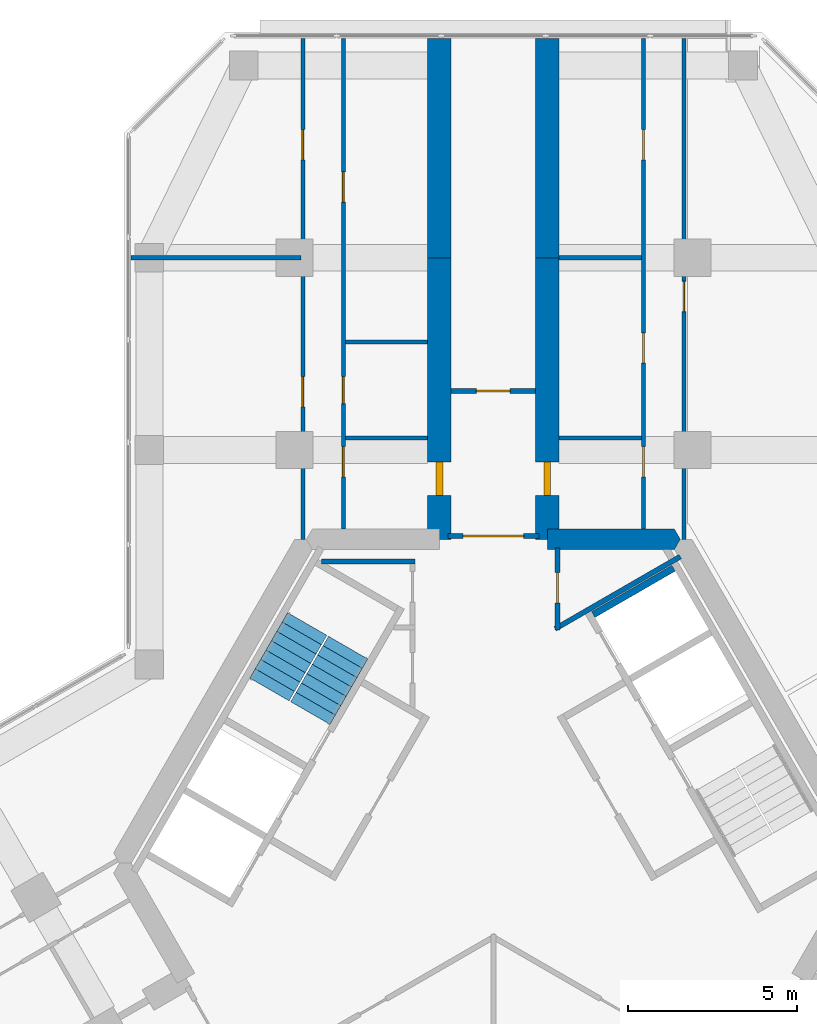
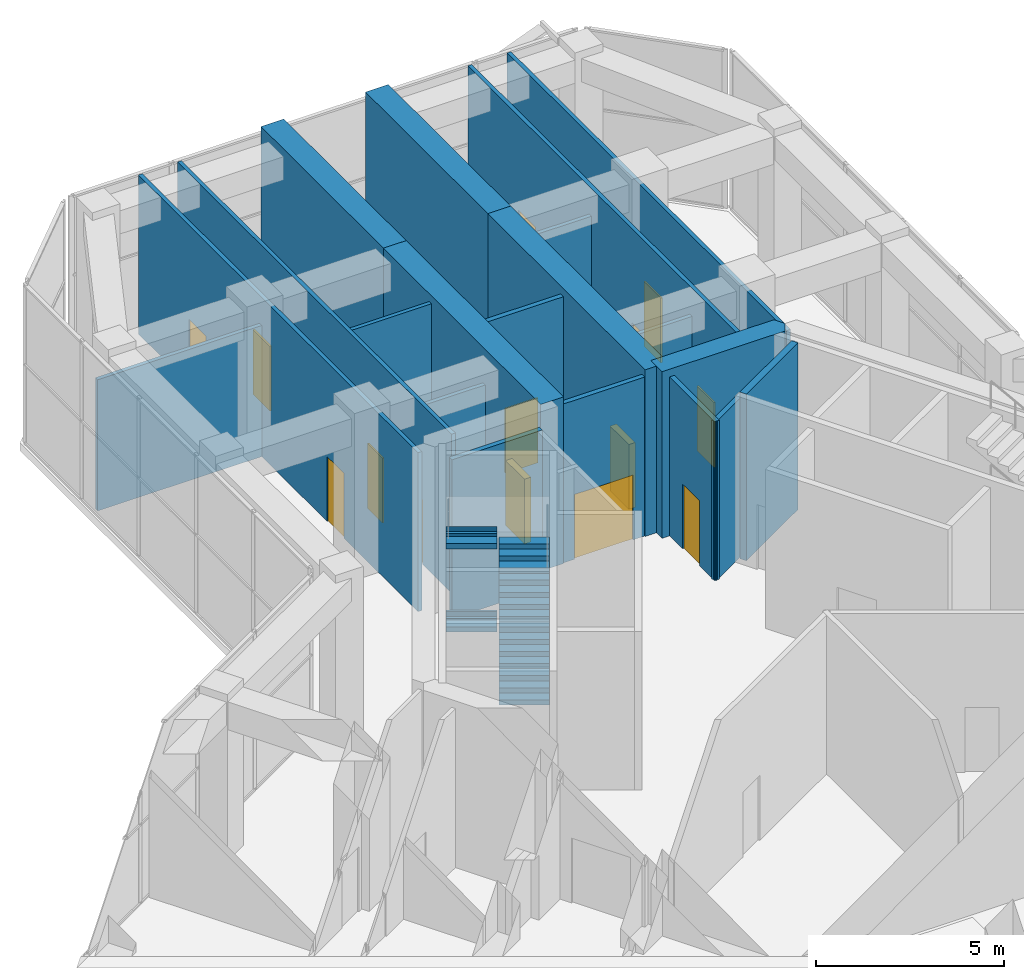
# One storey, part 14 of 16: 20 walls, 14 doors, 4 stair flights, 14 openings, 1 element without a shape of its own.
"""IFC4 building model written with IfcOpenShell, lengths in metres."""

from ifc_helpers import new_model, si_unit, direction, frame, frame_2d, origin, place, context, subcontext, project, spatial, polyline, rectangle, outline, extrude, material, layer, layer_set, type_object, element, fill, aggregate, save


model = new_model("IFC4")

# Units and contexts
model_context = context("Model", 3, precision=1e-05, world=origin(), true_north=direction((0.0, 1.0)))
body_context = subcontext(model_context, "Body", "Model", "MODEL_VIEW")
ifc_project = project(units=[si_unit("LENGTHUNIT", "METRE"), si_unit("AREAUNIT", "SQUARE_METRE"), si_unit("VOLUMEUNIT", "CUBIC_METRE"), si_unit("PLANEANGLEUNIT", "RADIAN"), si_unit("MASSUNIT", "GRAM", prefix="KILO")], contexts=[model_context])

# Site, building, storey
site_placement = place(None, origin())
site = spatial("IfcSite", under=ifc_project, at=site_placement, CompositionType="ELEMENT")
building_placement = place(site_placement, origin())
building = spatial("IfcBuilding", under=site, at=building_placement, Name="Kosmar Iwan School Tower", CompositionType="ELEMENT")
storey_placement = place(building_placement, frame((0.0, 0.0, 226.199951171875)))
storey = spatial("IfcBuildingStorey", under=building, at=storey_placement, Name="L57", CompositionType="ELEMENT", Elevation=226.199951171875)

# Walls
ifc_material_1 = material(Name="Gypsum board on steel studs, fire-rated", Category="steel")
ifc_layer_1 = layer(ifc_material_1, 0.14990234375)
ifc_layer_set_1 = layer_set([ifc_layer_1], Name="Core room partition 150")
wall_type_1 = type_object("IfcWallType", Name="Core room partition 150", PredefinedType="PARTITIONING", material=ifc_layer_set_1)
wall_1_placement = place(storey_placement, frame((-5.089599609375, 8.93994140625, 0.0), z_axis=(0.0, 0.0, 1.0), x_axis=(1.0, 0.0, 0.0)))
element("IfcWall", 1, at=wall_1_placement, inside=storey, type_object=wall_type_1, Name="Core room partition L57-CW3", PredefinedType="PARTITIONING", context=body_context, shape_type="SweptSolid", body=[
    extrude(rectangle(XDim=2.7646484375, YDim=0.14990234375, at=frame_2d((1.38232421875, 0.0))), origin(), (0.0, 0.0, 1.0), 5.150146484375),
])
wall_2_placement = place(storey_placement, frame((5.54296875, 9.089111328125, 0.0), z_axis=(0.0, 0.0, 1.0), x_axis=(-0.866045054481, -0.49996596245, 0.0)))
element("IfcWall", 2, at=wall_2_placement, inside=storey, type_object=wall_type_1, Name="Core room partition L57-CW8", PredefinedType="PARTITIONING", context=body_context, shape_type="SweptSolid", body=[
    extrude(rectangle(XDim=4.281494140625, YDim=0.14990234375, at=frame_2d((2.140625, 0.0))), origin(), (0.0, 0.0, 1.0), 5.150146484375),
])

# Wall, opening, door
wall_3_placement = place(storey_placement, frame((1.89990234375, 6.910888671875, 0.0), z_axis=(0.0, 0.0, 1.0), x_axis=(0.0, 1.0, 0.0)))
wall_3 = element("IfcWall", 3, at=wall_3_placement, inside=storey, type_object=wall_type_1, Name="Core room partition L57-CW9", PredefinedType="PARTITIONING", context=body_context, shape_type="SweptSolid", body=[
    extrude(rectangle(XDim=2.43408203125, YDim=0.14990234375, at=frame_2d((1.217041015625, 0.0))), origin(), (0.0, 0.0, 1.0), 5.150146484375),
])
opening_1_placement = place(wall_3_placement, frame((0.802001953125, 0.0, 0.0)))
opening_1 = element("IfcOpeningElement", 4, at=opening_1_placement, cuts=wall_3, Name="Opening D14", PredefinedType="OPENING", context=body_context, shape_type="SweptSolid", body=[
    extrude(rectangle(XDim=0.89990234375, YDim=2.10009765625, at=frame_2d((0.449951171875, 1.050048828125))), frame((0.0, 0.0869140625, 0.0), z_axis=(0.0, -1.0, 0.0), x_axis=(1.0, 0.0, 0.0)), (0.0, 0.0, 1.0), 0.173828125),
])
ifc_material_2 = material(Name="Timber fire door in steel frame", Category="steel")
door_type_1 = type_object("IfcDoorType", Name="Core room door 900x2100", OperationType="SINGLE_SWING_LEFT", PredefinedType="DOOR", material=ifc_material_2)
door_1_placement = place(opening_1_placement, origin())
door_1 = element("IfcDoor", 5, at=door_1_placement, inside=storey, type_object=door_type_1, Name="Water meter room door L57 5", OperationType="SINGLE_SWING_RIGHT", OverallHeight=2.10009765625, OverallWidth=0.89990234375, PredefinedType="DOOR", context=body_context, shape_type="SweptSolid", body=[
    extrude(rectangle(XDim=0.89990234375, YDim=2.10009765625, at=frame_2d((0.449951171875, 1.050048828125))), frame((0.0, 0.02490234375, 0.0), z_axis=(0.0, -1.0, 0.0), x_axis=(1.0, 0.0, 0.0)), (0.0, 0.0, 1.0), 0.050048828125),
])
fill(opening_1, door_1)

# Wall
ifc_material_3 = material(Name="Concrete C50/60", Category="concrete")
ifc_layer_2 = layer(ifc_material_3, 0.60009765625)
ifc_layer_set_2 = layer_set([ifc_layer_2], Name="Core wall 600")
wall_type_2 = type_object("IfcWallType", Name="Core wall 600", PredefinedType="SHEAR", material=ifc_layer_set_2)
wall_4_placement = place(storey_placement, origin())
element("IfcWall", 6, at=wall_4_placement, inside=storey, type_object=wall_type_2, Name="Core wall F090a", PredefinedType="SHEAR", context=body_context, shape_type="SweptSolid", body=[
    extrude(outline(polyline([(1.60009765625, 9.300048828125), (5.369384765625, 9.300048828125), (5.54248046875, 9.60009765625), (5.369384765625, 9.89990234375), (1.60009765625, 9.89990234375), (1.60009765625, 9.300048828125)])), origin(), (0.0, 0.0, 1.0), 5.400146484375),
])

# Wall, opening, door
ifc_material_4 = material(Name="Concrete C50/60", Category="concrete")
ifc_layer_3 = layer(ifc_material_4, 0.699951171875)
ifc_layer_set_3 = layer_set([ifc_layer_3], Name="Corridor buttress wall 700")
wall_type_3 = type_object("IfcWallType", Name="Corridor buttress wall 700", PredefinedType="SHEAR", material=ifc_layer_set_3)
wall_5_placement = place(storey_placement, frame((-1.60009765625, 9.60009765625, 0.0), z_axis=(0.0, 0.0, 1.0), x_axis=(0.0, 1.0, 0.0)))
wall_5 = element("IfcWall", 7, at=wall_5_placement, inside=storey, type_object=wall_type_3, Name="Corridor wall AL", PredefinedType="SHEAR", context=body_context, shape_type="SweptSolid", body=[
    extrude(rectangle(XDim=8.349853515625, YDim=0.699951171875, at=frame_2d((4.1748046875, 0.0))), origin(), (0.0, 0.0, 1.0), 5.400146484375),
])
opening_2_placement = place(wall_5_placement, frame((1.300048828125, 0.0, 0.0)))
opening_2 = element("IfcOpeningElement", 8, at=opening_2_placement, cuts=wall_5, Name="Opening D1", PredefinedType="OPENING", context=body_context, shape_type="SweptSolid", body=[
    extrude(rectangle(XDim=1.0, YDim=2.10009765625, at=frame_2d((0.5, 1.050048828125))), frame((0.0, 0.362060546875, 0.0), z_axis=(0.0, -1.0, 0.0), x_axis=(1.0, 0.0, 0.0)), (0.0, 0.0, 1.0), 0.723876953125),
])
ifc_material_5 = material(Name="Timber fire door in steel frame", Category="steel")
door_type_2 = type_object("IfcDoorType", Name="Flat entrance door 1000x2100", OperationType="SINGLE_SWING_LEFT", PredefinedType="DOOR", material=ifc_material_5)
door_2_placement = place(opening_2_placement, origin())
door_2 = element("IfcDoor", 9, at=door_2_placement, inside=storey, type_object=door_type_2, Name="Flat L57-AL1 entrance door", OperationType="SINGLE_SWING_RIGHT", OverallHeight=2.10009765625, OverallWidth=1.0, PredefinedType="DOOR", context=body_context, shape_type="SweptSolid", body=[
    extrude(rectangle(XDim=1.0, YDim=2.10009765625, at=frame_2d((0.5, 1.050048828125))), frame((0.0, 0.10009765625, 0.0), z_axis=(0.0, -1.0, 0.0), x_axis=(1.0, 0.0, 0.0)), (0.0, 0.0, 1.0), 0.199951171875),
])
fill(opening_2, door_2)

# Wall
wall_6_placement = place(storey_placement, frame((-1.60009765625, 17.949951171875, 0.0), z_axis=(0.0, 0.0, 1.0), x_axis=(0.0, 1.0, 0.0)))
element("IfcWall", 10, at=wall_6_placement, inside=storey, type_object=wall_type_3, Name="Corridor wall AL bay 2", PredefinedType="SHEAR", context=body_context, shape_type="SweptSolid", body=[
    extrude(rectangle(XDim=6.4951171875, YDim=0.699951171875, at=frame_2d((3.24755859375, 0.0))), origin(), (0.0, 0.0, 1.0), 5.400146484375),
])

# Wall, opening, door
wall_7_placement = place(storey_placement, frame((1.60009765625, 9.60009765625, 0.0), z_axis=(0.0, 0.0, 1.0), x_axis=(0.0, 1.0, 0.0)))
wall_7 = element("IfcWall", 11, at=wall_7_placement, inside=storey, type_object=wall_type_3, Name="Corridor wall AR", PredefinedType="SHEAR", context=body_context, shape_type="SweptSolid", body=[
    extrude(rectangle(XDim=8.349853515625, YDim=0.699951171875, at=frame_2d((4.1748046875, 0.0))), origin(), (0.0, 0.0, 1.0), 5.400146484375),
])
opening_3_placement = place(wall_7_placement, frame((1.300048828125, 0.0, 0.0)))
opening_3 = element("IfcOpeningElement", 12, at=opening_3_placement, cuts=wall_7, Name="Opening D1", PredefinedType="OPENING", context=body_context, shape_type="SweptSolid", body=[
    extrude(rectangle(XDim=1.0, YDim=2.10009765625, at=frame_2d((0.5, 1.050048828125))), frame((0.0, 0.362060546875, 0.0), z_axis=(0.0, -1.0, 0.0), x_axis=(1.0, 0.0, 0.0)), (0.0, 0.0, 1.0), 0.723876953125),
])
door_3_placement = place(opening_3_placement, origin())
door_3 = element("IfcDoor", 13, at=door_3_placement, inside=storey, type_object=door_type_2, Name="Flat L57-AR1 entrance door", OperationType="SINGLE_SWING_LEFT", OverallHeight=2.10009765625, OverallWidth=1.0, PredefinedType="DOOR", context=body_context, shape_type="SweptSolid", body=[
    extrude(rectangle(XDim=1.0, YDim=2.10009765625, at=frame_2d((0.5, 1.050048828125))), frame((0.0, 0.10009765625, 0.0), z_axis=(0.0, -1.0, 0.0), x_axis=(1.0, 0.0, 0.0)), (0.0, 0.0, 1.0), 0.199951171875),
])
fill(opening_3, door_3)

# Wall
wall_8_placement = place(storey_placement, frame((1.60009765625, 17.949951171875, 0.0), z_axis=(0.0, 0.0, 1.0), x_axis=(0.0, 1.0, 0.0)))
element("IfcWall", 14, at=wall_8_placement, inside=storey, type_object=wall_type_3, Name="Corridor wall AR bay 2", PredefinedType="SHEAR", context=body_context, shape_type="SweptSolid", body=[
    extrude(rectangle(XDim=6.4951171875, YDim=0.699951171875, at=frame_2d((3.24755859375, 0.0))), origin(), (0.0, 0.0, 1.0), 5.400146484375),
])

# Wall, opening, door
ifc_material_6 = material(Name="Gypsum board on steel studs, fire-rated", Category="steel")
ifc_layer_4 = layer(ifc_material_6, 0.14990234375)
ifc_layer_set_4 = layer_set([ifc_layer_4], Name="Corridor end wall 150")
wall_type_4 = type_object("IfcWallType", Name="Corridor end wall 150", PredefinedType="PARTITIONING", material=ifc_layer_set_4)
wall_9_placement = place(storey_placement, frame((1.25, 14.0, 0.0), z_axis=(0.0, 0.0, 1.0), x_axis=(-1.0, 0.0, 0.0)))
wall_9 = element("IfcWall", 15, at=wall_9_placement, inside=storey, type_object=wall_type_4, Name="Partition L57-A-CE", PredefinedType="PARTITIONING", context=body_context, shape_type="SweptSolid", body=[
    extrude(rectangle(XDim=2.5, YDim=0.14990234375, at=frame_2d((1.25, 0.0))), origin(), (0.0, 0.0, 1.0), 5.150146484375),
])
opening_4_placement = place(wall_9_placement, frame((0.75, 0.0, 0.0)))
opening_4 = element("IfcOpeningElement", 16, at=opening_4_placement, cuts=wall_9, Name="Opening D13", PredefinedType="OPENING", context=body_context, shape_type="SweptSolid", body=[
    extrude(rectangle(XDim=1.0, YDim=2.10009765625, at=frame_2d((0.5, 1.050048828125))), frame((0.0, 0.0869140625, 0.0), z_axis=(0.0, -1.0, 0.0), x_axis=(1.0, 0.0, 0.0)), (0.0, 0.0, 1.0), 0.173828125),
])
ifc_material_7 = material(Name="Timber fire door with vision panel", Category="wood")
door_type_3 = type_object("IfcDoorType", Name="Corridor end door 1000x2100", OperationType="SINGLE_SWING_LEFT", PredefinedType="DOOR", material=ifc_material_7)
door_4_placement = place(opening_4_placement, origin())
door_4 = element("IfcDoor", 17, at=door_4_placement, inside=storey, type_object=door_type_3, Name="Reading room door L57-A", OperationType="SINGLE_SWING_RIGHT", OverallHeight=2.10009765625, OverallWidth=1.0, PredefinedType="DOOR", context=body_context, shape_type="SweptSolid", body=[
    extrude(rectangle(XDim=1.0, YDim=2.10009765625, at=frame_2d((0.5, 1.050048828125))), frame((0.0, 0.02490234375, 0.0), z_axis=(0.0, -1.0, 0.0), x_axis=(1.0, 0.0, 0.0)), (0.0, 0.0, 1.0), 0.050048828125),
])
fill(opening_4, door_4)

ifc_material_8 = material(Name="Steel framed glazed screen", Category="steel")
ifc_layer_5 = layer(ifc_material_8, 0.14990234375)
ifc_layer_set_5 = layer_set([ifc_layer_5], Name="Corridor screen wall 150")
wall_type_5 = type_object("IfcWallType", Name="Corridor screen wall 150", PredefinedType="PARTITIONING", material=ifc_layer_set_5)
wall_10_placement = place(storey_placement, frame((1.35009765625, 9.699951171875, 0.0), z_axis=(0.0, 0.0, 1.0), x_axis=(-1.0, 0.0, 0.0)))
wall_10 = element("IfcWall", 18, at=wall_10_placement, inside=storey, type_object=wall_type_5, Name="Corridor screen A L57", PredefinedType="PARTITIONING", context=body_context, shape_type="SweptSolid", body=[
    extrude(rectangle(XDim=2.7001953125, YDim=0.14990234375, at=frame_2d((1.35009765625, 0.0))), origin(), (0.0, 0.0, 1.0), 5.150146484375),
])
opening_5_placement = place(wall_10_placement, frame((0.449951171875, 0.0, 0.0)))
opening_5 = element("IfcOpeningElement", 19, at=opening_5_placement, cuts=wall_10, Name="Opening D9", PredefinedType="OPENING", context=body_context, shape_type="SweptSolid", body=[
    extrude(rectangle(XDim=1.800048828125, YDim=2.10009765625, at=frame_2d((0.89990234375, 1.050048828125))), frame((0.0, 0.0869140625, 0.0), z_axis=(0.0, -1.0, 0.0), x_axis=(1.0, 0.0, 0.0)), (0.0, 0.0, 1.0), 0.173828125),
])
ifc_material_9 = material(Name="Steel framed glazed smoke door", Category="steel")
door_type_4 = type_object("IfcDoorType", Name="Corridor smoke door pair 1800x2100", OperationType="DOUBLE_DOOR_DOUBLE_SWING", PredefinedType="DOOR", material=ifc_material_9)
door_5_placement = place(opening_5_placement, origin())
door_5 = element("IfcDoor", 20, at=door_5_placement, inside=storey, type_object=door_type_4, Name="Corridor doors A L57", OperationType="DOUBLE_DOOR_DOUBLE_SWING", OverallHeight=2.10009765625, OverallWidth=1.800048828125, PredefinedType="DOOR", context=body_context, shape_type="SweptSolid", body=[
    extrude(rectangle(XDim=1.800048828125, YDim=2.10009765625, at=frame_2d((0.89990234375, 1.050048828125))), frame((0.0, 0.02490234375, 0.0), z_axis=(0.0, -1.0, 0.0), x_axis=(1.0, 0.0, 0.0)), (0.0, 0.0, 1.0), 0.050048828125),
])
fill(opening_5, door_5)

# Wall, openings, doors
ifc_material_10 = material(Name="Gypsum board on steel studs", Category="steel")
ifc_layer_6 = layer(ifc_material_10, 0.1201171875)
ifc_layer_set_6 = layer_set([ifc_layer_6], Name="Dwelling partition 120")
wall_type_6 = type_object("IfcWallType", Name="Dwelling partition 120", PredefinedType="PARTITIONING", material=ifc_layer_set_6)
wall_11_placement = place(storey_placement, frame((-4.449951171875, 9.89990234375, 0.0), z_axis=(0.0, 0.0, 1.0), x_axis=(0.0, 1.0, 0.0)))
wall_11 = element("IfcWall", 21, at=wall_11_placement, inside=storey, type_object=wall_type_6, Name="Partition L57-AL1-W1", PredefinedType="PARTITIONING", context=body_context, shape_type="SweptSolid", body=[
    extrude(rectangle(XDim=14.545166015625, YDim=0.1201171875, at=frame_2d((7.2724609375, 0.0))), origin(), (0.0, 0.0, 1.0), 5.150146484375),
])
opening_6_placement = place(wall_11_placement, frame((1.550048828125, 0.0, 0.0)))
opening_6 = element("IfcOpeningElement", 22, at=opening_6_placement, cuts=wall_11, Name="Opening D2", PredefinedType="OPENING", context=body_context, shape_type="SweptSolid", body=[
    extrude(rectangle(XDim=0.89990234375, YDim=2.10009765625, at=frame_2d((0.449951171875, 1.050048828125))), frame((0.0, 0.072021484375, 0.0), z_axis=(0.0, -1.0, 0.0), x_axis=(1.0, 0.0, 0.0)), (0.0, 0.0, 1.0), 0.14404296875),
])
opening_7_placement = place(wall_11_placement, frame((3.72509765625, 0.0, 0.0)))
opening_7 = element("IfcOpeningElement", 23, at=opening_7_placement, cuts=wall_11, Name="Opening D3", PredefinedType="OPENING", context=body_context, shape_type="SweptSolid", body=[
    extrude(rectangle(XDim=0.800048828125, YDim=2.10009765625, at=frame_2d((0.39990234375, 1.050048828125))), frame((0.0, 0.072021484375, 0.0), z_axis=(0.0, -1.0, 0.0), x_axis=(1.0, 0.0, 0.0)), (0.0, 0.0, 1.0), 0.14404296875),
])
opening_8_placement = place(wall_11_placement, frame((9.699951171875, 0.0, 0.0)))
opening_8 = element("IfcOpeningElement", 24, at=opening_8_placement, cuts=wall_11, Name="Opening D2", PredefinedType="OPENING", context=body_context, shape_type="SweptSolid", body=[
    extrude(rectangle(XDim=0.89990234375, YDim=2.10009765625, at=frame_2d((0.449951171875, 1.050048828125))), frame((0.0, 0.072021484375, 0.0), z_axis=(0.0, -1.0, 0.0), x_axis=(1.0, 0.0, 0.0)), (0.0, 0.0, 1.0), 0.14404296875),
])
ifc_material_11 = material(Name="Timber door in timber frame", Category="wood")
door_type_5 = type_object("IfcDoorType", Name="Internal door 900x2100", OperationType="SINGLE_SWING_LEFT", PredefinedType="DOOR", material=ifc_material_11)
door_6_placement = place(opening_6_placement, origin())
door_6 = element("IfcDoor", 25, at=door_6_placement, inside=storey, type_object=door_type_5, Name="Entrance hall door L57-AL1-S1", OperationType="SINGLE_SWING_LEFT", OverallHeight=2.10009765625, OverallWidth=0.89990234375, PredefinedType="DOOR", context=body_context, shape_type="SweptSolid", body=[
    extrude(rectangle(XDim=0.89990234375, YDim=2.10009765625, at=frame_2d((0.449951171875, 1.050048828125))), frame((0.0, 0.02490234375, 0.0), z_axis=(0.0, -1.0, 0.0), x_axis=(1.0, 0.0, 0.0)), (0.0, 0.0, 1.0), 0.050048828125),
])
fill(opening_6, door_6)
door_7_placement = place(opening_8_placement, origin())
door_7 = element("IfcDoor", 26, at=door_7_placement, inside=storey, type_object=door_type_5, Name="Accessible toilet door L57-AL1-S3", OperationType="SINGLE_SWING_RIGHT", OverallHeight=2.10009765625, OverallWidth=0.89990234375, PredefinedType="DOOR", context=body_context, shape_type="SweptSolid", body=[
    extrude(rectangle(XDim=0.89990234375, YDim=2.10009765625, at=frame_2d((0.449951171875, 1.050048828125))), frame((0.0, 0.02490234375, 0.0), z_axis=(0.0, -1.0, 0.0), x_axis=(1.0, 0.0, 0.0)), (0.0, 0.0, 1.0), 0.050048828125),
])
fill(opening_8, door_7)
ifc_material_12 = material(Name="Timber door in timber frame", Category="wood")
door_type_6 = type_object("IfcDoorType", Name="Sanitary room door 800x2100", OperationType="SINGLE_SWING_LEFT", PredefinedType="DOOR", material=ifc_material_12)
door_8_placement = place(opening_7_placement, origin())
door_8 = element("IfcDoor", 27, at=door_8_placement, inside=storey, type_object=door_type_6, Name="Store door L57-AL1-S2", OperationType="SINGLE_SWING_LEFT", OverallHeight=2.10009765625, OverallWidth=0.800048828125, PredefinedType="DOOR", context=body_context, shape_type="SweptSolid", body=[
    extrude(rectangle(XDim=0.800048828125, YDim=2.10009765625, at=frame_2d((0.39990234375, 1.050048828125))), frame((0.0, 0.02490234375, 0.0), z_axis=(0.0, -1.0, 0.0), x_axis=(1.0, 0.0, 0.0)), (0.0, 0.0, 1.0), 0.050048828125),
])
fill(opening_7, door_8)

wall_12_placement = place(storey_placement, frame((-5.64990234375, 9.60009765625, 0.0), z_axis=(0.0, 0.0, 1.0), x_axis=(0.0, 1.0, 0.0)))
wall_12 = element("IfcWall", 28, at=wall_12_placement, inside=storey, type_object=wall_type_6, Name="Partition L57-AL1-W2", PredefinedType="PARTITIONING", context=body_context, shape_type="SweptSolid", body=[
    extrude(rectangle(XDim=14.844970703125, YDim=0.1201171875, at=frame_2d((7.42236328125, 0.0))), origin(), (0.0, 0.0, 1.0), 5.150146484375),
])
opening_9_placement = place(wall_12_placement, frame((3.925048828125, 0.0, 0.0)))
opening_9 = element("IfcOpeningElement", 29, at=opening_9_placement, cuts=wall_12, Name="Opening D2", PredefinedType="OPENING", context=body_context, shape_type="SweptSolid", body=[
    extrude(rectangle(XDim=0.89990234375, YDim=2.10009765625, at=frame_2d((0.449951171875, 1.050048828125))), frame((0.0, 0.072021484375, 0.0), z_axis=(0.0, -1.0, 0.0), x_axis=(1.0, 0.0, 0.0)), (0.0, 0.0, 1.0), 0.14404296875),
])
opening_10_placement = place(wall_12_placement, frame((11.25, 0.0, 0.0)))
opening_10 = element("IfcOpeningElement", 30, at=opening_10_placement, cuts=wall_12, Name="Opening D2", PredefinedType="OPENING", context=body_context, shape_type="SweptSolid", body=[
    extrude(rectangle(XDim=0.89990234375, YDim=2.10009765625, at=frame_2d((0.449951171875, 1.050048828125))), frame((0.0, 0.072021484375, 0.0), z_axis=(0.0, -1.0, 0.0), x_axis=(1.0, 0.0, 0.0)), (0.0, 0.0, 1.0), 0.14404296875),
])
door_9_placement = place(opening_9_placement, origin())
door_9 = element("IfcDoor", 31, at=door_9_placement, inside=storey, type_object=door_type_5, Name="Games room door L57-AL1-F1", OperationType="SINGLE_SWING_RIGHT", OverallHeight=2.10009765625, OverallWidth=0.89990234375, PredefinedType="DOOR", context=body_context, shape_type="SweptSolid", body=[
    extrude(rectangle(XDim=0.89990234375, YDim=2.10009765625, at=frame_2d((0.449951171875, 1.050048828125))), frame((0.0, 0.02490234375, 0.0), z_axis=(0.0, -1.0, 0.0), x_axis=(1.0, 0.0, 0.0)), (0.0, 0.0, 1.0), 0.050048828125),
])
fill(opening_9, door_9)
door_10_placement = place(opening_10_placement, origin())
door_10 = element("IfcDoor", 32, at=door_10_placement, inside=storey, type_object=door_type_5, Name="Music room door L57-AL1-F2", OperationType="SINGLE_SWING_RIGHT", OverallHeight=2.10009765625, OverallWidth=0.89990234375, PredefinedType="DOOR", context=body_context, shape_type="SweptSolid", body=[
    extrude(rectangle(XDim=0.89990234375, YDim=2.10009765625, at=frame_2d((0.449951171875, 1.050048828125))), frame((0.0, 0.02490234375, 0.0), z_axis=(0.0, -1.0, 0.0), x_axis=(1.0, 0.0, 0.0)), (0.0, 0.0, 1.0), 0.050048828125),
])
fill(opening_10, door_10)

# Walls
wall_13_placement = place(storey_placement, frame((-5.7099609375, 17.949951171875, 0.0), z_axis=(0.0, 0.0, 1.0), x_axis=(-1.0, 0.0, 0.0)))
element("IfcWall", 33, at=wall_13_placement, inside=storey, type_object=wall_type_6, Name="Partition L57-AL1-X1", PredefinedType="PARTITIONING", context=body_context, shape_type="SweptSolid", body=[
    extrude(rectangle(XDim=5.03515625, YDim=0.1201171875, at=frame_2d((2.517578125, 0.0))), origin(), (0.0, 0.0, 1.0), 4.25),
])
wall_14_placement = place(storey_placement, frame((-1.949951171875, 12.60009765625, 0.0), z_axis=(0.0, 0.0, 1.0), x_axis=(-1.0, 0.0, 0.0)))
element("IfcWall", 34, at=wall_14_placement, inside=storey, type_object=wall_type_6, Name="Partition L57-AL1-Y1", PredefinedType="PARTITIONING", context=body_context, shape_type="SweptSolid", body=[
    extrude(rectangle(XDim=2.43994140625, YDim=0.1201171875, at=frame_2d((1.219970703125, 0.0))), origin(), (0.0, 0.0, 1.0), 4.25),
])
wall_15_placement = place(storey_placement, frame((-1.949951171875, 15.449951171875, 0.0), z_axis=(0.0, 0.0, 1.0), x_axis=(-1.0, 0.0, 0.0)))
element("IfcWall", 35, at=wall_15_placement, inside=storey, type_object=wall_type_6, Name="Partition L57-AL1-Y2", PredefinedType="PARTITIONING", context=body_context, shape_type="SweptSolid", body=[
    extrude(rectangle(XDim=2.43994140625, YDim=0.1201171875, at=frame_2d((1.219970703125, 0.0))), origin(), (0.0, 0.0, 1.0), 5.150146484375),
])

# Wall, openings, doors
wall_16_placement = place(storey_placement, frame((4.449951171875, 9.89990234375, 0.0), z_axis=(0.0, 0.0, 1.0), x_axis=(0.0, 1.0, 0.0)))
wall_16 = element("IfcWall", 36, at=wall_16_placement, inside=storey, type_object=wall_type_6, Name="Partition L57-AR1-W1", PredefinedType="PARTITIONING", context=body_context, shape_type="SweptSolid", body=[
    extrude(rectangle(XDim=14.545166015625, YDim=0.1201171875, at=frame_2d((7.2724609375, 0.0))), origin(), (0.0, 0.0, 1.0), 5.150146484375),
])
opening_11_placement = place(wall_16_placement, frame((1.550048828125, 0.0, 0.0)))
opening_11 = element("IfcOpeningElement", 37, at=opening_11_placement, cuts=wall_16, Name="Opening D2", PredefinedType="OPENING", context=body_context, shape_type="SweptSolid", body=[
    extrude(rectangle(XDim=0.89990234375, YDim=2.10009765625, at=frame_2d((0.449951171875, 1.050048828125))), frame((0.0, 0.072021484375, 0.0), z_axis=(0.0, -1.0, 0.0), x_axis=(1.0, 0.0, 0.0)), (0.0, 0.0, 1.0), 0.14404296875),
])
opening_12_placement = place(wall_16_placement, frame((4.925048828125, 0.0, 0.0)))
opening_12 = element("IfcOpeningElement", 38, at=opening_12_placement, cuts=wall_16, Name="Opening D2", PredefinedType="OPENING", context=body_context, shape_type="SweptSolid", body=[
    extrude(rectangle(XDim=0.89990234375, YDim=2.10009765625, at=frame_2d((0.449951171875, 1.050048828125))), frame((0.0, 0.072021484375, 0.0), z_axis=(0.0, -1.0, 0.0), x_axis=(1.0, 0.0, 0.0)), (0.0, 0.0, 1.0), 0.14404296875),
])
opening_13_placement = place(wall_16_placement, frame((10.949951171875, 0.0, 0.0)))
opening_13 = element("IfcOpeningElement", 39, at=opening_13_placement, cuts=wall_16, Name="Opening D2", PredefinedType="OPENING", context=body_context, shape_type="SweptSolid", body=[
    extrude(rectangle(XDim=0.89990234375, YDim=2.10009765625, at=frame_2d((0.449951171875, 1.050048828125))), frame((0.0, 0.072021484375, 0.0), z_axis=(0.0, -1.0, 0.0), x_axis=(1.0, 0.0, 0.0)), (0.0, 0.0, 1.0), 0.14404296875),
])
door_11_placement = place(opening_11_placement, origin())
door_11 = element("IfcDoor", 40, at=door_11_placement, inside=storey, type_object=door_type_5, Name="Entrance hall door L57-AR1-S1", OperationType="SINGLE_SWING_RIGHT", OverallHeight=2.10009765625, OverallWidth=0.89990234375, PredefinedType="DOOR", context=body_context, shape_type="SweptSolid", body=[
    extrude(rectangle(XDim=0.89990234375, YDim=2.10009765625, at=frame_2d((0.449951171875, 1.050048828125))), frame((0.0, 0.02490234375, 0.0), z_axis=(0.0, -1.0, 0.0), x_axis=(1.0, 0.0, 0.0)), (0.0, 0.0, 1.0), 0.050048828125),
])
fill(opening_11, door_11)
door_12_placement = place(opening_12_placement, origin())
door_12 = element("IfcDoor", 41, at=door_12_placement, inside=storey, type_object=door_type_5, Name="Garden store door L57-AR1-S2", OperationType="SINGLE_SWING_LEFT", OverallHeight=2.10009765625, OverallWidth=0.89990234375, PredefinedType="DOOR", context=body_context, shape_type="SweptSolid", body=[
    extrude(rectangle(XDim=0.89990234375, YDim=2.10009765625, at=frame_2d((0.449951171875, 1.050048828125))), frame((0.0, 0.02490234375, 0.0), z_axis=(0.0, -1.0, 0.0), x_axis=(1.0, 0.0, 0.0)), (0.0, 0.0, 1.0), 0.050048828125),
])
fill(opening_12, door_12)
door_13_placement = place(opening_13_placement, origin())
door_13 = element("IfcDoor", 42, at=door_13_placement, inside=storey, type_object=door_type_5, Name="Toilets door L57-AR1-S3", OperationType="SINGLE_SWING_RIGHT", OverallHeight=2.10009765625, OverallWidth=0.89990234375, PredefinedType="DOOR", context=body_context, shape_type="SweptSolid", body=[
    extrude(rectangle(XDim=0.89990234375, YDim=2.10009765625, at=frame_2d((0.449951171875, 1.050048828125))), frame((0.0, 0.02490234375, 0.0), z_axis=(0.0, -1.0, 0.0), x_axis=(1.0, 0.0, 0.0)), (0.0, 0.0, 1.0), 0.050048828125),
])
fill(opening_13, door_13)

# Wall, opening, door
wall_17_placement = place(storey_placement, frame((5.64990234375, 9.60009765625, 0.0), z_axis=(0.0, 0.0, 1.0), x_axis=(0.0, 1.0, 0.0)))
wall_17 = element("IfcWall", 43, at=wall_17_placement, inside=storey, type_object=wall_type_6, Name="Partition L57-AR1-W2", PredefinedType="PARTITIONING", context=body_context, shape_type="SweptSolid", body=[
    extrude(rectangle(XDim=14.844970703125, YDim=0.1201171875, at=frame_2d((7.42236328125, 0.0))), origin(), (0.0, 0.0, 1.0), 5.150146484375),
])
opening_14_placement = place(wall_17_placement, frame((6.75, 0.0, 0.0)))
opening_14 = element("IfcOpeningElement", 44, at=opening_14_placement, cuts=wall_17, Name="Opening D2", PredefinedType="OPENING", context=body_context, shape_type="SweptSolid", body=[
    extrude(rectangle(XDim=0.89990234375, YDim=2.10009765625, at=frame_2d((0.449951171875, 1.050048828125))), frame((0.0, 0.072021484375, 0.0), z_axis=(0.0, -1.0, 0.0), x_axis=(1.0, 0.0, 0.0)), (0.0, 0.0, 1.0), 0.14404296875),
])
door_14_placement = place(opening_14_placement, origin())
door_14 = element("IfcDoor", 45, at=door_14_placement, inside=storey, type_object=door_type_5, Name="Winter garden door L57-AR1-F1", OperationType="SINGLE_SWING_LEFT", OverallHeight=2.10009765625, OverallWidth=0.89990234375, PredefinedType="DOOR", context=body_context, shape_type="SweptSolid", body=[
    extrude(rectangle(XDim=0.89990234375, YDim=2.10009765625, at=frame_2d((0.449951171875, 1.050048828125))), frame((0.0, 0.02490234375, 0.0), z_axis=(0.0, -1.0, 0.0), x_axis=(1.0, 0.0, 0.0)), (0.0, 0.0, 1.0), 0.050048828125),
])
fill(opening_14, door_14)

# Walls
for number, where, z_axis, x_axis, name in (
    (46, (1.949951171875, 12.60009765625, 0.0), (0.0, 0.0, 1.0), (1.0, 0.0, 0.0), "Partition L57-AR1-Y1"),
    (47, (1.949951171875, 17.949951171875, 0.0), (0.0, 0.0, 1.0), (1.0, 0.0, 0.0), "Partition L57-AR1-Y2"),
):
    element("IfcWall", number, at=place(storey_placement, frame(where, z_axis=z_axis, x_axis=x_axis)), inside=storey, type_object=wall_type_6, Name=name, PredefinedType="PARTITIONING", context=body_context, shape_type="SweptSolid", body=[
        extrude(rectangle(XDim=2.43994140625, YDim=0.1201171875, at=frame_2d((1.219970703125, 0.0))), origin(), (0.0, 0.0, 1.0), 4.25),
    ])
ifc_material_13 = material(Name="Concrete C50/60", Category="concrete")
ifc_layer_7 = layer(ifc_material_13, 0.199951171875)
ifc_layer_set_7 = layer_set([ifc_layer_7], Name="Lift shaft wall 200")
wall_type_7 = type_object("IfcWallType", Name="Lift shaft wall 200", PredefinedType="SHEAR", material=ifc_layer_set_7)
wall_18_placement = place(storey_placement, frame((2.962646484375, 7.368408203125, 0.0), z_axis=(0.0, 0.0, 1.0), x_axis=(0.866027397988, 0.499996545922, 0.0)))
element("IfcWall", 48, at=wall_18_placement, inside=storey, type_object=wall_type_7, Name="Lift shaft wall AC 2", PredefinedType="SHEAR", context=body_context, shape_type="SweptSolid", body=[
    extrude(rectangle(XDim=2.75, YDim=0.199951171875, at=frame_2d((1.375, 0.0))), origin(), (0.0, 0.0, 1.0), 5.400146484375),
])

# Stair, stair flights
ifc_material_14 = material(Name="Concrete C35/45", Category="concrete")
stair_type = type_object("IfcStairType", Name="Core stair 2750", PredefinedType="HALF_TURN_STAIR", material=ifc_material_14)
stair_placement = place(storey_placement, origin())
stair = element("IfcStair", 49, at=stair_placement, inside=storey, type_object=stair_type, Name="Stair ST2 L57", PredefinedType="HALF_TURN_STAIR")
ifc_material_15 = material(Name="Concrete C35/45", Category="concrete")
stair_flight_type = type_object("IfcStairFlightType", Name="Stair flight 1350", PredefinedType="STRAIGHT", material=ifc_material_15)
stair_flight_1_placement = place(storey_placement, frame((-5.42724609375, 4.44970703125, 0.0), z_axis=(0.0, 0.0, 1.0), x_axis=(0.5, 0.866025403784, 0.0)))
stair_flight_1 = element("IfcStairFlight", 50, at=stair_flight_1_placement, type_object=stair_flight_type, Name="ST2 flight 1", NumberOfRisers=8, NumberOfTreads=7, PredefinedType="STRAIGHT", RiserHeight=0.16875, TreadLength=0.32, context=body_context, shape_type="SweptSolid", body=[
    extrude(outline(polyline([(0.0, 0.0), (0.0, 0.168701171875), (0.320068359375, 0.168701171875), (0.320068359375, 0.33740234375), (0.639892578125, 0.33740234375), (0.639892578125, 0.50634765625), (0.9599609375, 0.50634765625), (0.9599609375, 0.675048828125), (1.280029296875, 0.675048828125), (1.280029296875, 0.84375), (1.60009765625, 0.84375), (1.60009765625, 1.012451171875), (1.919921875, 1.012451171875), (1.919921875, 1.18115234375), (2.239990234375, 1.18115234375), (2.239990234375, 1.35009765625), (2.239990234375, 1.01171875), (0.3212890625, 0.0), (0.0, 0.0)])), frame((0.0, 0.675048828125, 0.0), z_axis=(0.0, -1.0, 0.0), x_axis=(1.0, 0.0, 0.0)), (0.0, 0.0, 1.0), 1.35009765625),
])
stair_flight_2_placement = place(storey_placement, frame((-5.519775390625, 7.089599609375, 1.35009765625), z_axis=(0.0, 0.0, 1.0), x_axis=(-0.5, -0.866025403784, 0.0)))
stair_flight_2 = element("IfcStairFlight", 51, at=stair_flight_2_placement, type_object=stair_flight_type, Name="ST2 flight 2", NumberOfRisers=8, NumberOfTreads=7, PredefinedType="STRAIGHT", RiserHeight=0.16875, TreadLength=0.32, context=body_context, shape_type="SweptSolid", body=[
    extrude(outline(polyline([(0.0, 0.0), (0.0, 0.168701171875), (0.320068359375, 0.168701171875), (0.320068359375, 0.33740234375), (0.639892578125, 0.33740234375), (0.639892578125, 0.50634765625), (0.9599609375, 0.50634765625), (0.9599609375, 0.675048828125), (1.280029296875, 0.675048828125), (1.280029296875, 0.84375), (1.60009765625, 0.84375), (1.60009765625, 1.012451171875), (1.919921875, 1.012451171875), (1.919921875, 1.18115234375), (2.239990234375, 1.18115234375), (2.239990234375, 1.35009765625), (2.239990234375, 1.01171875), (0.3212890625, 0.0), (0.0, 0.0)])), frame((0.0, 0.675048828125, 0.0), z_axis=(0.0, -1.0, 0.0), x_axis=(1.0, 0.0, 0.0)), (0.0, 0.0, 1.0), 1.35009765625),
])
stair_flight_3_placement = place(storey_placement, frame((-5.42724609375, 4.44970703125, 2.699951171875), z_axis=(0.0, 0.0, 1.0), x_axis=(0.5, 0.866025403784, 0.0)))
stair_flight_3 = element("IfcStairFlight", 52, at=stair_flight_3_placement, type_object=stair_flight_type, Name="ST2 flight 3", NumberOfRisers=8, NumberOfTreads=7, PredefinedType="STRAIGHT", RiserHeight=0.16875, TreadLength=0.32, context=body_context, shape_type="SweptSolid", body=[
    extrude(outline(polyline([(0.0, 0.0), (0.0, 0.168701171875), (0.320068359375, 0.168701171875), (0.320068359375, 0.33740234375), (0.639892578125, 0.33740234375), (0.639892578125, 0.50634765625), (0.9599609375, 0.50634765625), (0.9599609375, 0.675048828125), (1.280029296875, 0.675048828125), (1.280029296875, 0.84375), (1.60009765625, 0.84375), (1.60009765625, 1.012451171875), (1.919921875, 1.012451171875), (1.919921875, 1.18115234375), (2.239990234375, 1.18115234375), (2.239990234375, 1.35009765625), (2.239990234375, 1.01171875), (0.3212890625, 0.0), (0.0, 0.0)])), frame((0.0, 0.675048828125, 0.0), z_axis=(0.0, -1.0, 0.0), x_axis=(1.0, 0.0, 0.0)), (0.0, 0.0, 1.0), 1.35009765625),
])
stair_flight_4_placement = place(storey_placement, frame((-5.519775390625, 7.089599609375, 4.050048828125), z_axis=(0.0, 0.0, 1.0), x_axis=(-0.5, -0.866025403784, 0.0)))
stair_flight_4 = element("IfcStairFlight", 53, at=stair_flight_4_placement, type_object=stair_flight_type, Name="ST2 flight 4", NumberOfRisers=8, NumberOfTreads=7, PredefinedType="STRAIGHT", RiserHeight=0.16875, TreadLength=0.32, context=body_context, shape_type="SweptSolid", body=[
    extrude(outline(polyline([(0.0, 0.0), (0.0, 0.168701171875), (0.320068359375, 0.168701171875), (0.320068359375, 0.33740234375), (0.639892578125, 0.33740234375), (0.639892578125, 0.50634765625), (0.9599609375, 0.50634765625), (0.9599609375, 0.675048828125), (1.280029296875, 0.675048828125), (1.280029296875, 0.84375), (1.60009765625, 0.84375), (1.60009765625, 1.012451171875), (1.919921875, 1.012451171875), (1.919921875, 1.18115234375), (2.239990234375, 1.18115234375), (2.239990234375, 1.35009765625), (2.239990234375, 1.01171875), (0.3212890625, 0.0), (0.0, 0.0)])), frame((0.0, 0.675048828125, 0.0), z_axis=(0.0, -1.0, 0.0), x_axis=(1.0, 0.0, 0.0)), (0.0, 0.0, 1.0), 1.35009765625),
])
aggregate(stair, [stair_flight_1, stair_flight_2, stair_flight_3, stair_flight_4])

save(model, "model.ifc")
